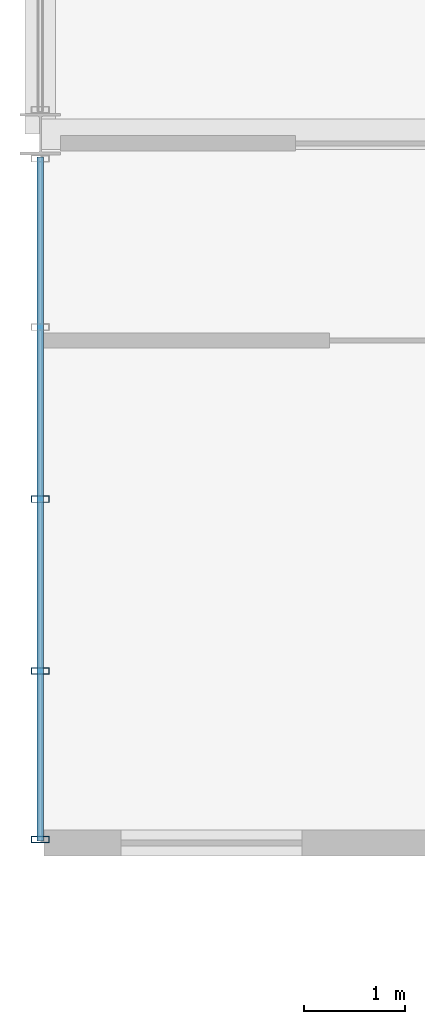
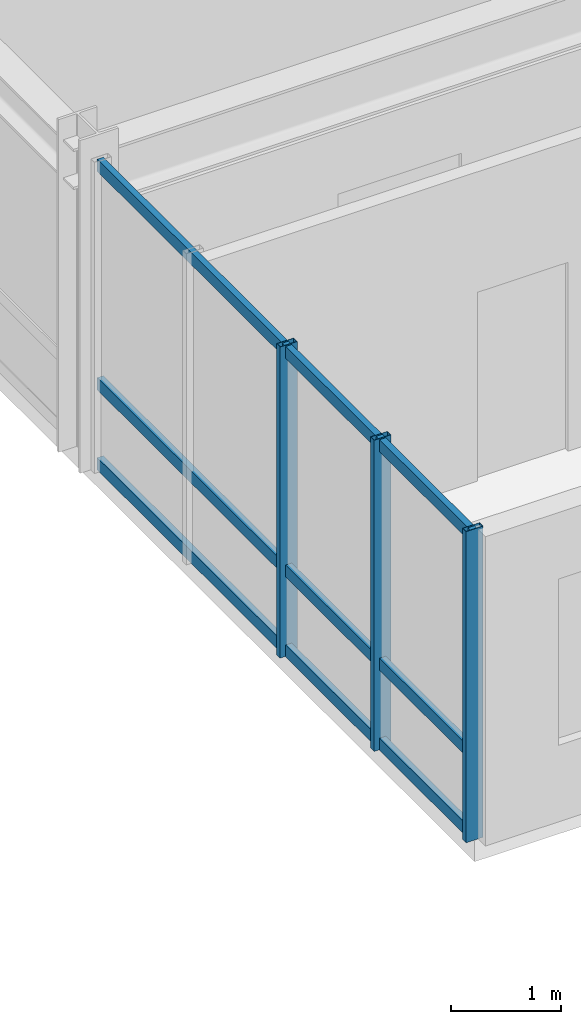
# One storey, part 3 of 19: 6 members, 1 element without a shape of its own.
"""IFC4 building model written with IfcOpenShell, lengths in metres."""

from ifc_helpers import new_model, si_unit, direction, frame, origin, origin_2d, place, context, subcontext, project, spatial, hollow_rectangle, extrude, source, transform, mapped, material, layer, layer_set, material_profile, profile_set, type_object, element, aggregate, save


model = new_model("IFC4")

# Units and contexts
model_context = context("Model", 3, precision=1e-05, world=origin(), true_north=direction((0.0, 1.0)))
body_context = subcontext(model_context, "Body", "Model", "MODEL_VIEW")
ifc_project = project(units=[si_unit("LENGTHUNIT", "METRE"), si_unit("AREAUNIT", "SQUARE_METRE"), si_unit("VOLUMEUNIT", "CUBIC_METRE"), si_unit("PLANEANGLEUNIT", "RADIAN"), si_unit("MASSUNIT", "GRAM", prefix="KILO")], contexts=[model_context])

# Site, building, storey
site_placement = place(None, origin())
site = spatial("IfcSite", under=ifc_project, at=site_placement, CompositionType="ELEMENT")
building_placement = place(site_placement, origin())
building = spatial("IfcBuilding", under=site, at=building_placement, Name="Kaliganga Portal Commons", CompositionType="ELEMENT")
storey_placement = place(building_placement, frame((0.0, 0.0, 184.60009765625)))
storey = spatial("IfcBuildingStorey", under=building, at=storey_placement, Name="L47", CompositionType="ELEMENT", Elevation=184.60009765625)

# Curtain wall, members
ifc_material_1 = material(Name="Anodized Aluminium and Laminated Low-E Glass", Category="aluminium")
ifc_layer = layer(ifc_material_1, 0.199951171875)
ifc_layer_set = layer_set([ifc_layer], Name="Anodized Aluminium and Laminated Low-E Glass")
curtain_wall_type = type_object("IfcCurtainWallType", Name="CW-SYS-02", PredefinedType="NOTDEFINED", material=ifc_layer_set)
curtain_wall_placement = place(storey_placement, origin())
curtain_wall = element("IfcCurtainWall", 1, at=curtain_wall_placement, inside=storey, type_object=curtain_wall_type, Name="CW 02 L47 P1E03S3", PredefinedType="NOTDEFINED")
ifc_material_2 = material(Name="Dark Bronze Anodized Aluminium", Category="aluminium")
ifc_material_profile_1 = material_profile(ifc_material_2, hollow_rectangle(XDim=0.06494140625, YDim=0.179931640625, WallThickness=0.00390625, at=origin_2d()), Name="ALU MULL 65x180x4")
ifc_profile_set_1 = profile_set([ifc_material_profile_1], Name="Dark Bronze Anodized Aluminium")
member_type_1 = type_object("IfcMemberType", Name="CW-MUL-180", PredefinedType="MULLION", material=ifc_profile_set_1)
shared_shape_1 = source(origin(), body_context, "Body", "SweptSolid", [
    extrude(hollow_rectangle(XDim=0.06494140625, YDim=0.179931640625, WallThickness=0.00390625, at=origin_2d()), origin(), (0.0, 0.0, 1.0), 3.4599609375),
])
member_1_placement = place(storey_placement, frame((0.5, 25.02099609375, 0.0), z_axis=(0.0, 0.0, 1.0), x_axis=(0.0, -1.0, 0.0)))
member_1 = element("IfcMember", 2, at=member_1_placement, type_object=member_type_1, Name="CW:02:L47:P1E03S3 Mullion 02", PredefinedType="MULLION", context=body_context, shape_type="MappedRepresentation", body=[
    mapped(shared_shape_1, transform((0.0, 0.0, 0.0), x_axis=(1.0, 0.0, 0.0), y_axis=(0.0, 1.0, 0.0), z_axis=(0.0, 0.0, 1.0), scale=1.0)),
])
member_2_placement = place(storey_placement, frame((0.5, 23.310546875, 0.0), z_axis=(0.0, 0.0, 1.0), x_axis=(0.0, -1.0, 0.0)))
member_2 = element("IfcMember", 3, at=member_2_placement, type_object=member_type_1, Name="CW:02:L47:P1E03S3 Mullion 03", PredefinedType="MULLION", context=body_context, shape_type="MappedRepresentation", body=[
    mapped(shared_shape_1, transform((0.0, 0.0, 0.0), x_axis=(1.0, 0.0, 0.0), y_axis=(0.0, 1.0, 0.0), z_axis=(0.0, 0.0, 1.0), scale=1.0)),
])
member_3_placement = place(storey_placement, frame((0.5, 21.635009765625, 0.0), z_axis=(0.0, 0.0, 1.0), x_axis=(0.0, -1.0, 0.0)))
member_3 = element("IfcMember", 4, at=member_3_placement, type_object=member_type_1, Name="CW:02:L47:P1E03S3 Mullion 04", PredefinedType="MULLION", context=body_context, shape_type="MappedRepresentation", body=[
    mapped(shared_shape_1, transform((0.0, 0.0, 0.0), x_axis=(1.0, 0.0, 0.0), y_axis=(0.0, 1.0, 0.0), z_axis=(0.0, 0.0, 1.0), scale=1.0)),
])
ifc_material_profile_2 = material_profile(ifc_material_2, hollow_rectangle(XDim=0.06494140625, YDim=0.135009765625, WallThickness=0.00341796875, at=origin_2d()), Name="ALU TRAN 65x135x3.5")
ifc_profile_set_2 = profile_set([ifc_material_profile_2], Name="Dark Bronze Anodized Aluminium")
member_type_2 = type_object("IfcMemberType", Name="CW-TRN-135", PredefinedType="USERDEFINED", material=ifc_profile_set_2)
shared_shape_2 = source(origin(), body_context, "Body", "SweptSolid", [
    extrude(hollow_rectangle(XDim=0.06494140625, YDim=0.135009765625, WallThickness=0.00341796875, at=origin_2d()), origin(), (0.0, 0.0, 1.0), 6.802001953125),
])
member_4_placement = place(storey_placement, frame((0.5, 28.422119140625, 0.059814453125), z_axis=(0.0, -1.0, 0.0), x_axis=(1.0, 0.0, 0.0)))
member_4 = element("IfcMember", 5, at=member_4_placement, type_object=member_type_2, Name="CW:02:L47:P1E03S3 Transom 1", ObjectType="TRANSOM", PredefinedType="USERDEFINED", context=body_context, shape_type="MappedRepresentation", body=[
    mapped(shared_shape_2, transform((0.0, 0.0, 0.0), x_axis=(1.0, 0.0, 0.0), y_axis=(0.0, 1.0, 0.0), z_axis=(0.0, 0.0, 1.0), scale=1.0)),
])
member_5_placement = place(storey_placement, frame((0.5, 28.422119140625, 0.949951171875), z_axis=(0.0, -1.0, 0.0), x_axis=(1.0, 0.0, 0.0)))
member_5 = element("IfcMember", 6, at=member_5_placement, type_object=member_type_2, Name="CW:02:L47:P1E03S3 Transom 2", ObjectType="TRANSOM", PredefinedType="USERDEFINED", context=body_context, shape_type="MappedRepresentation", body=[
    mapped(shared_shape_2, transform((0.0, 0.0, 0.0), x_axis=(1.0, 0.0, 0.0), y_axis=(0.0, 1.0, 0.0), z_axis=(0.0, 0.0, 1.0), scale=1.0)),
])
member_6_placement = place(storey_placement, frame((0.5, 28.422119140625, 3.3798828125), z_axis=(0.0, -1.0, 0.0), x_axis=(1.0, 0.0, 0.0)))
member_6 = element("IfcMember", 7, at=member_6_placement, type_object=member_type_2, Name="CW:02:L47:P1E03S3 Transom 3", ObjectType="TRANSOM", PredefinedType="USERDEFINED", context=body_context, shape_type="MappedRepresentation", body=[
    mapped(shared_shape_2, transform((0.0, 0.0, 0.0), x_axis=(1.0, 0.0, 0.0), y_axis=(0.0, 1.0, 0.0), z_axis=(0.0, 0.0, 1.0), scale=1.0)),
])
aggregate(curtain_wall, [member_1, member_2, member_3, member_4, member_5, member_6])

save(model, "model.ifc")
